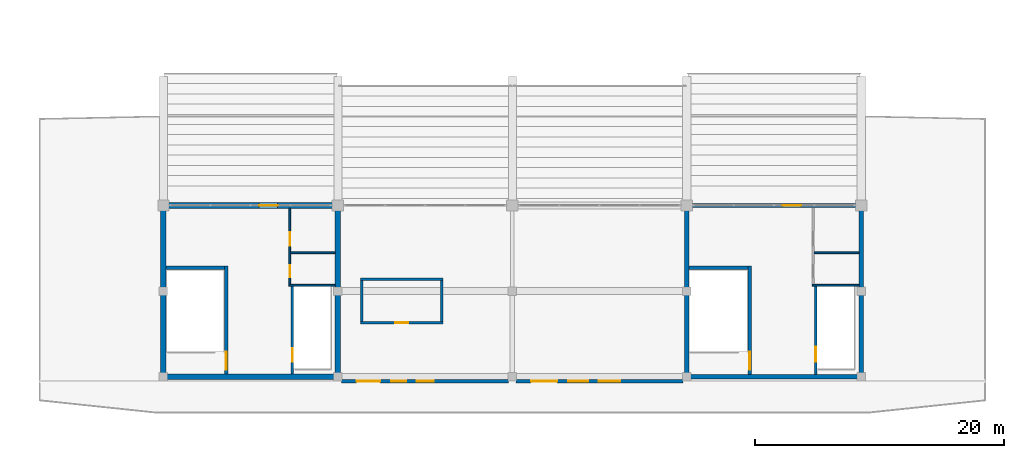
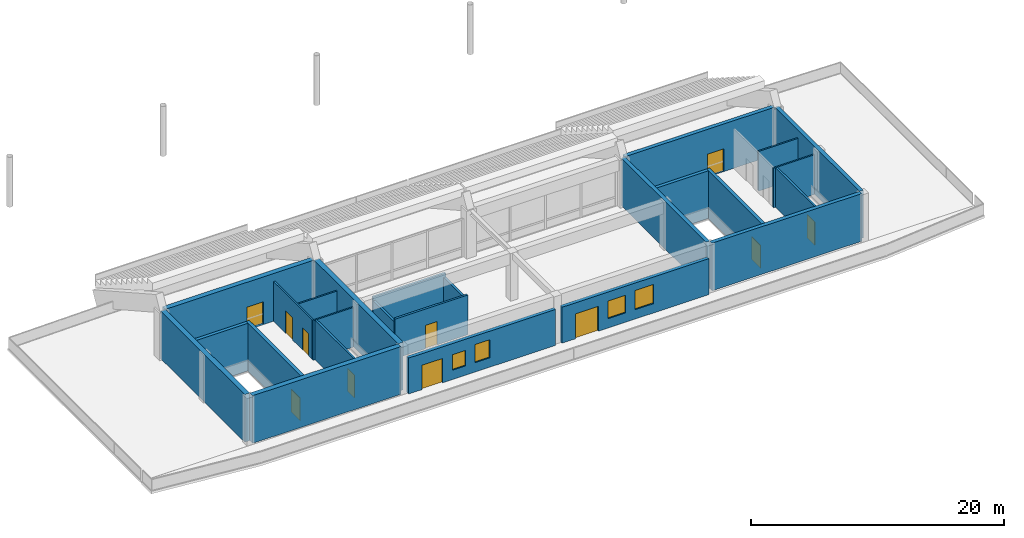
# One storey, part 69 of 94: 25 walls, 11 doors, 4 windows, 15 openings.
"""IFC4 building model written with IfcOpenShell, lengths in metres."""

from ifc_helpers import new_model, si_unit, direction, frame, frame_2d, origin, place, context, subcontext, project, spatial, rectangle, extrude, material, layer, layer_set, type_object, element, fill, save


model = new_model("IFC4")

# Units and contexts
model_context = context("Model", 3, precision=1e-05, world=origin(), true_north=direction((0.0, 1.0)))
body_context = subcontext(model_context, "Body", "Model", "MODEL_VIEW")
ifc_project = project(units=[si_unit("LENGTHUNIT", "METRE"), si_unit("AREAUNIT", "SQUARE_METRE"), si_unit("VOLUMEUNIT", "CUBIC_METRE"), si_unit("PLANEANGLEUNIT", "RADIAN"), si_unit("MASSUNIT", "GRAM", prefix="KILO")], contexts=[model_context])

# Site, building, storey
site_placement = place(None, origin())
site = spatial("IfcSite", under=ifc_project, at=site_placement, CompositionType="ELEMENT")
building_placement = place(site_placement, origin())
building = spatial("IfcBuilding", under=site, at=building_placement, Name="Linyun Crest Stadium", CompositionType="ELEMENT")
storey_placement = place(building_placement, frame((0.0, 0.0, 16.199951171875)))
storey = spatial("IfcBuildingStorey", under=building, at=storey_placement, Name="L04", CompositionType="ELEMENT", Elevation=16.199951171875)

# Walls
ifc_material_1 = material(Name="Concrete C50", Category="concrete")
ifc_layer_1 = layer(ifc_material_1, 0.35009765625)
ifc_layer_set_1 = layer_set([ifc_layer_1], Name="Concrete C50")
wall_type_1 = type_object("IfcWallType", Name="CW01", PredefinedType="SHEAR", material=ifc_layer_set_1)
for number, where, z_axis, x_axis, name in (
    (1, (14.0, -87.074951171875, 0.0), (0.0, 0.0, 1.0), (0.0, 1.0, 0.0), "Core shear wall CW01 CORE-S2 L04.1"),
    (2, (28.0, -87.074951171875, 0.0), (0.0, 0.0, 1.0), (0.0, 1.0, 0.0), "Core shear wall CW01 CORE-S2 L04.2"),
):
    element("IfcWall", number, at=place(storey_placement, frame(where, z_axis=z_axis, x_axis=x_axis)), inside=storey, type_object=wall_type_1, Name=name, PredefinedType="SHEAR", context=body_context, shape_type="SweptSolid", body=[
        extrude(rectangle(XDim=13.39990234375, YDim=0.35009765625, at=frame_2d((6.699951171875, 0.0))), origin(), (0.0, 0.0, 1.0), 4.594970703125),
    ])
wall_1_placement = place(storey_placement, frame((14.175048828125, -87.25, 0.0), z_axis=(0.0, 0.0, 1.0), x_axis=(1.0, 0.0, 0.0)))
element("IfcWall", 3, at=wall_1_placement, inside=storey, type_object=wall_type_1, Name="Core shear wall CW01 CORE-S2 L04.3", PredefinedType="SHEAR", context=body_context, shape_type="SweptSolid", body=[
    extrude(rectangle(XDim=13.64990234375, YDim=0.35009765625, at=frame_2d((6.824951171875, 0.0))), origin(), (0.0, 0.0, 1.0), 4.594970703125),
])

# Wall, opening, door
wall_2_placement = place(storey_placement, frame((14.175048828125, -73.5, 0.0), z_axis=(0.0, 0.0, 1.0), x_axis=(1.0, 0.0, 0.0)))
wall_2 = element("IfcWall", 4, at=wall_2_placement, inside=storey, type_object=wall_type_1, Name="Core shear wall CW01 CORE-S2 L04.4", PredefinedType="SHEAR", context=body_context, shape_type="SweptSolid", body=[
    extrude(rectangle(XDim=13.64990234375, YDim=0.35009765625, at=frame_2d((6.824951171875, 0.0))), origin(), (0.0, 0.0, 1.0), 4.594970703125),
])
opening_1_placement = place(wall_2_placement, frame((7.507080078125, 0.0, 0.0)))
opening_1 = element("IfcOpeningElement", 5, at=opening_1_placement, cuts=wall_2, Name="Opening D-L04-361", PredefinedType="OPENING", context=body_context, shape_type="SweptSolid", body=[
    extrude(rectangle(XDim=1.5, YDim=2.199951171875, at=frame_2d((0.75, 1.10009765625))), frame((0.0, 0.18505859375, 0.0), z_axis=(0.0, -1.0, 0.0), x_axis=(1.0, 0.0, 0.0)), (0.0, 0.0, 1.0), 0.3701171875),
])
ifc_material_2 = material(Name="Galvanized steel Class A fire door", Category="steel")
ifc_layer_2 = layer(ifc_material_2, 0.054931640625)
ifc_layer_set_2 = layer_set([ifc_layer_2], Name="Galvanized steel Class A fire door")
door_type_1 = type_object("IfcDoorType", Name="FD01", OperationType="NOTDEFINED", PredefinedType="DOOR", material=ifc_layer_set_2)
door_1_placement = place(opening_1_placement, origin())
door_1 = element("IfcDoor", 6, at=door_1_placement, inside=storey, type_object=door_type_1, Name="Door D-L04-361", OperationType="SINGLE_SWING_LEFT", OverallHeight=2.199951171875, OverallWidth=1.5, PredefinedType="DOOR", context=body_context, shape_type="SweptSolid", body=[
    extrude(rectangle(XDim=1.5, YDim=2.199951171875, at=frame_2d((0.75, 1.10009765625))), frame((0.0, 0.02490234375, 0.0), z_axis=(0.0, -1.0, 0.0), x_axis=(1.0, 0.0, 0.0)), (0.0, 0.0, 1.0), 0.050048828125),
])
fill(opening_1, door_1)

# Walls
ifc_material_3 = material(Name="Concrete C50", Category="concrete")
ifc_layer_3 = layer(ifc_material_3, 0.449951171875)
ifc_layer_set_3 = layer_set([ifc_layer_3], Name="Concrete C50")
wall_type_2 = type_object("IfcWallType", Name="CW03", PredefinedType="SHEAR", material=ifc_layer_set_3)
for number, where, z_axis, x_axis, name in (
    (7, (-28.0, -87.02490234375, 0.0), (0.0, 0.0, 1.0), (0.0, 1.0, 0.0), "Core shear wall CW03 CORE-S1 L04.1"),
    (8, (-14.0, -87.02490234375, 0.0), (0.0, 0.0, 1.0), (0.0, 1.0, 0.0), "Core shear wall CW03 CORE-S1 L04.2"),
):
    element("IfcWall", number, at=place(storey_placement, frame(where, z_axis=z_axis, x_axis=x_axis)), inside=storey, type_object=wall_type_2, Name=name, PredefinedType="SHEAR", context=body_context, shape_type="SweptSolid", body=[
        extrude(rectangle(XDim=13.2998046875, YDim=0.449951171875, at=frame_2d((6.64990234375, 0.0))), origin(), (0.0, 0.0, 1.0), 4.594970703125),
    ])
wall_3_placement = place(storey_placement, frame((-27.77490234375, -87.25, 0.0), z_axis=(0.0, 0.0, 1.0), x_axis=(1.0, 0.0, 0.0)))
element("IfcWall", 9, at=wall_3_placement, inside=storey, type_object=wall_type_2, Name="Core shear wall CW03 CORE-S1 L04.3", PredefinedType="SHEAR", context=body_context, shape_type="SweptSolid", body=[
    extrude(rectangle(XDim=13.5498046875, YDim=0.449951171875, at=frame_2d((6.77490234375, 0.0))), origin(), (0.0, 0.0, 1.0), 4.594970703125),
])

# Wall, opening, door
wall_4_placement = place(storey_placement, frame((-27.77490234375, -73.5, 0.0), z_axis=(0.0, 0.0, 1.0), x_axis=(1.0, 0.0, 0.0)))
wall_4 = element("IfcWall", 10, at=wall_4_placement, inside=storey, type_object=wall_type_2, Name="Core shear wall CW03 CORE-S1 L04.4", PredefinedType="SHEAR", context=body_context, shape_type="SweptSolid", body=[
    extrude(rectangle(XDim=13.5498046875, YDim=0.449951171875, at=frame_2d((6.77490234375, 0.0))), origin(), (0.0, 0.0, 1.0), 4.594970703125),
])
opening_2_placement = place(wall_4_placement, frame((7.451904296875, 0.0, 0.0)))
opening_2 = element("IfcOpeningElement", 11, at=opening_2_placement, cuts=wall_4, Name="Opening D-L04-336", PredefinedType="OPENING", context=body_context, shape_type="SweptSolid", body=[
    extrude(rectangle(XDim=1.5, YDim=2.199951171875, at=frame_2d((0.75, 1.10009765625))), frame((0.0, 0.23486328125, 0.0), z_axis=(0.0, -1.0, 0.0), x_axis=(1.0, 0.0, 0.0)), (0.0, 0.0, 1.0), 0.469970703125),
])
door_2_placement = place(opening_2_placement, origin())
door_2 = element("IfcDoor", 12, at=door_2_placement, inside=storey, type_object=door_type_1, Name="Door D-L04-336", OperationType="SINGLE_SWING_RIGHT", OverallHeight=2.199951171875, OverallWidth=1.5, PredefinedType="DOOR", context=body_context, shape_type="SweptSolid", body=[
    extrude(rectangle(XDim=1.5, YDim=2.199951171875, at=frame_2d((0.75, 1.10009765625))), frame((0.0, 0.02490234375, 0.0), z_axis=(0.0, -1.0, 0.0), x_axis=(1.0, 0.0, 0.0)), (0.0, 0.0, 1.0), 0.050048828125),
])
fill(opening_2, door_2)

# Wall, openings, door, windows
ifc_material_4 = material(Name="Concrete C40 with warm ochre ceramic faience", Category="concrete")
ifc_layer_4 = layer(ifc_material_4, 0.31005859375)
ifc_layer_set_4 = layer_set([ifc_layer_4], Name="Concrete C40 with warm ochre ceramic faience")
wall_type_3 = type_object("IfcWallType", Name="EW04", PredefinedType="SOLIDWALL", material=ifc_layer_set_4)
wall_5_placement = place(storey_placement, frame((-13.699951171875, -87.60009765625, 0.0), z_axis=(0.0, 0.0, 1.0), x_axis=(1.0, 0.0, 0.0)))
wall_5 = element("IfcWall", 13, at=wall_5_placement, inside=storey, type_object=wall_type_3, Name="Exterior wall EW04 L04 64", PredefinedType="SOLIDWALL", context=body_context, shape_type="SweptSolid", body=[
    extrude(rectangle(XDim=13.39990234375, YDim=0.31005859375, at=frame_2d((6.699951171875, 0.0))), origin(), (0.0, 0.0, 1.0), 3.469970703125),
])
opening_3_placement = place(wall_5_placement, frame((1.199951171875, 0.0, 0.0)))
opening_3 = element("IfcOpeningElement", 14, at=opening_3_placement, cuts=wall_5, Name="Opening BD-L04-03", PredefinedType="OPENING", context=body_context, shape_type="SweptSolid", body=[
    extrude(rectangle(XDim=1.89990234375, YDim=2.35009765625, at=frame_2d((0.949951171875, 1.175048828125))), frame((0.0, 0.1650390625, 0.0), z_axis=(0.0, -1.0, 0.0), x_axis=(1.0, 0.0, 0.0)), (0.0, 0.0, 1.0), 0.330078125),
])
opening_4_placement = place(wall_5_placement, frame((4.0, 0.0, 0.89990234375)))
opening_4 = element("IfcOpeningElement", 15, at=opening_4_placement, cuts=wall_5, Name="Opening WN07", PredefinedType="OPENING", context=body_context, shape_type="SweptSolid", body=[
    extrude(rectangle(XDim=1.199951171875, YDim=1.5, at=frame_2d((0.60009765625, 0.75))), frame((0.0, 0.1650390625, 0.0), z_axis=(0.0, -1.0, 0.0), x_axis=(1.0, 0.0, 0.0)), (0.0, 0.0, 1.0), 0.330078125),
])
opening_5_placement = place(wall_5_placement, frame((6.050048828125, 0.0, 0.89990234375)))
opening_5 = element("IfcOpeningElement", 16, at=opening_5_placement, cuts=wall_5, Name="Opening WN13", PredefinedType="OPENING", context=body_context, shape_type="SweptSolid", body=[
    extrude(rectangle(XDim=1.35009765625, YDim=1.75, at=frame_2d((0.675048828125, 0.875))), frame((0.0, 0.1650390625, 0.0), z_axis=(0.0, -1.0, 0.0), x_axis=(1.0, 0.0, 0.0)), (0.0, 0.0, 1.0), 0.330078125),
])
ifc_material_5 = material(Name="Thermally broken aluminium and low-E glass", Category="aluminium")
ifc_layer_5 = layer(ifc_material_5, 0.054931640625)
ifc_layer_set_5 = layer_set([ifc_layer_5], Name="Thermally broken aluminium and low-E glass")
door_type_2 = type_object("IfcDoorType", Name="BD05", OperationType="NOTDEFINED", PredefinedType="DOOR", material=ifc_layer_set_5)
door_3_placement = place(opening_3_placement, origin())
door_3 = element("IfcDoor", 17, at=door_3_placement, inside=storey, type_object=door_type_2, Name="Terrace door BD-L04-03", OperationType="SINGLE_SWING_LEFT", OverallHeight=2.35009765625, OverallWidth=1.89990234375, PredefinedType="DOOR", context=body_context, shape_type="SweptSolid", body=[
    extrude(rectangle(XDim=1.89990234375, YDim=2.35009765625, at=frame_2d((0.949951171875, 1.175048828125))), frame((0.0, 0.02490234375, 0.0), z_axis=(0.0, -1.0, 0.0), x_axis=(1.0, 0.0, 0.0)), (0.0, 0.0, 1.0), 0.050048828125),
])
fill(opening_3, door_3)
ifc_material_6 = material(Name="Aluminium operable ventilation window", Category="aluminium")
ifc_layer_6 = layer(ifc_material_6, 0.06005859375)
ifc_layer_set_6 = layer_set([ifc_layer_6], Name="Aluminium operable ventilation window")
window_type_1 = type_object("IfcWindowType", Name="WN07", PartitioningType="SINGLE_PANEL", PredefinedType="WINDOW", material=ifc_layer_set_6)
window_1_placement = place(opening_4_placement, origin())
window_1 = element("IfcWindow", 18, at=window_1_placement, inside=storey, type_object=window_type_1, Name="Window WN07 L04 37", OverallHeight=1.5, OverallWidth=1.199951171875, PartitioningType="SINGLE_PANEL", PredefinedType="WINDOW", context=body_context, shape_type="SweptSolid", body=[
    extrude(rectangle(XDim=1.199951171875, YDim=1.5, at=frame_2d((0.60009765625, 0.75))), frame((0.0, 0.030029296875, 0.0), z_axis=(0.0, -1.0, 0.0), x_axis=(1.0, 0.0, 0.0)), (0.0, 0.0, 1.0), 0.06005859375),
])
fill(opening_4, window_1)
ifc_material_7 = material(Name="Gallery side-light window")
ifc_layer_7 = layer(ifc_material_7, 0.06005859375)
ifc_layer_set_7 = layer_set([ifc_layer_7], Name="Gallery side-light window")
window_type_2 = type_object("IfcWindowType", Name="WN13", PartitioningType="SINGLE_PANEL", PredefinedType="WINDOW", material=ifc_layer_set_7)
window_2_placement = place(opening_5_placement, origin())
window_2 = element("IfcWindow", 19, at=window_2_placement, inside=storey, type_object=window_type_2, Name="Window WN13 L04 38", OverallHeight=1.75, OverallWidth=1.35009765625, PartitioningType="SINGLE_PANEL", PredefinedType="WINDOW", context=body_context, shape_type="SweptSolid", body=[
    extrude(rectangle(XDim=1.35009765625, YDim=1.75, at=frame_2d((0.675048828125, 0.875))), frame((0.0, 0.030029296875, 0.0), z_axis=(0.0, -1.0, 0.0), x_axis=(1.0, 0.0, 0.0)), (0.0, 0.0, 1.0), 0.06005859375),
])
fill(opening_5, window_2)

wall_6_placement = place(storey_placement, frame((0.300048828125, -87.60009765625, 0.0), z_axis=(0.0, 0.0, 1.0), x_axis=(1.0, 0.0, 0.0)))
wall_6 = element("IfcWall", 20, at=wall_6_placement, inside=storey, type_object=wall_type_3, Name="Exterior wall EW04 L04 65", PredefinedType="SOLIDWALL", context=body_context, shape_type="SweptSolid", body=[
    extrude(rectangle(XDim=13.39990234375, YDim=0.31005859375, at=frame_2d((6.699951171875, 0.0))), origin(), (0.0, 0.0, 1.0), 3.469970703125),
])
opening_6_placement = place(wall_6_placement, frame((1.199951171875, 0.0, 0.0)))
opening_6 = element("IfcOpeningElement", 21, at=opening_6_placement, cuts=wall_6, Name="Opening BD-L04-04", PredefinedType="OPENING", context=body_context, shape_type="SweptSolid", body=[
    extrude(rectangle(XDim=2.10009765625, YDim=2.39990234375, at=frame_2d((1.050048828125, 1.199951171875))), frame((0.0, 0.1650390625, 0.0), z_axis=(0.0, -1.0, 0.0), x_axis=(1.0, 0.0, 0.0)), (0.0, 0.0, 1.0), 0.330078125),
])
opening_7_placement = place(wall_6_placement, frame((4.199951171875, 0.0, 0.89990234375)))
opening_7 = element("IfcOpeningElement", 22, at=opening_7_placement, cuts=wall_6, Name="Opening WN09", PredefinedType="OPENING", context=body_context, shape_type="SweptSolid", body=[
    extrude(rectangle(XDim=1.60009765625, YDim=1.699951171875, at=frame_2d((0.800048828125, 0.85009765625))), frame((0.0, 0.1650390625, 0.0), z_axis=(0.0, -1.0, 0.0), x_axis=(1.0, 0.0, 0.0)), (0.0, 0.0, 1.0), 0.330078125),
])
opening_8_placement = place(wall_6_placement, frame((6.64990234375, 0.0, 0.89990234375)))
opening_8 = element("IfcOpeningElement", 23, at=opening_8_placement, cuts=wall_6, Name="Opening WN14", PredefinedType="OPENING", context=body_context, shape_type="SweptSolid", body=[
    extrude(rectangle(XDim=1.699951171875, YDim=1.85009765625, at=frame_2d((0.85009765625, 0.925048828125))), frame((0.0, 0.1650390625, 0.0), z_axis=(0.0, -1.0, 0.0), x_axis=(1.0, 0.0, 0.0)), (0.0, 0.0, 1.0), 0.330078125),
])
ifc_material_8 = material(Name="Thermally broken aluminium and low-E glass", Category="aluminium")
ifc_layer_8 = layer(ifc_material_8, 0.054931640625)
ifc_layer_set_8 = layer_set([ifc_layer_8], Name="Thermally broken aluminium and low-E glass")
door_type_3 = type_object("IfcDoorType", Name="BD06", OperationType="NOTDEFINED", PredefinedType="DOOR", material=ifc_layer_set_8)
door_4_placement = place(opening_6_placement, origin())
door_4 = element("IfcDoor", 24, at=door_4_placement, inside=storey, type_object=door_type_3, Name="Terrace door BD-L04-04", OperationType="SINGLE_SWING_RIGHT", OverallHeight=2.39990234375, OverallWidth=2.10009765625, PredefinedType="DOOR", context=body_context, shape_type="SweptSolid", body=[
    extrude(rectangle(XDim=2.10009765625, YDim=2.39990234375, at=frame_2d((1.050048828125, 1.199951171875))), frame((0.0, 0.02490234375, 0.0), z_axis=(0.0, -1.0, 0.0), x_axis=(1.0, 0.0, 0.0)), (0.0, 0.0, 1.0), 0.050048828125),
])
fill(opening_6, door_4)
ifc_material_9 = material(Name="Aluminium operable ventilation window", Category="aluminium")
ifc_layer_9 = layer(ifc_material_9, 0.06005859375)
ifc_layer_set_9 = layer_set([ifc_layer_9], Name="Aluminium operable ventilation window")
window_type_3 = type_object("IfcWindowType", Name="WN09", PartitioningType="SINGLE_PANEL", PredefinedType="WINDOW", material=ifc_layer_set_9)
window_3_placement = place(opening_7_placement, origin())
window_3 = element("IfcWindow", 25, at=window_3_placement, inside=storey, type_object=window_type_3, Name="Window WN09 L04 39", OverallHeight=1.699951171875, OverallWidth=1.60009765625, PartitioningType="SINGLE_PANEL", PredefinedType="WINDOW", context=body_context, shape_type="SweptSolid", body=[
    extrude(rectangle(XDim=1.60009765625, YDim=1.699951171875, at=frame_2d((0.800048828125, 0.85009765625))), frame((0.0, 0.030029296875, 0.0), z_axis=(0.0, -1.0, 0.0), x_axis=(1.0, 0.0, 0.0)), (0.0, 0.0, 1.0), 0.06005859375),
])
fill(opening_7, window_3)
ifc_material_10 = material(Name="Concourse arched sidelight")
ifc_layer_10 = layer(ifc_material_10, 0.06005859375)
ifc_layer_set_10 = layer_set([ifc_layer_10], Name="Concourse arched sidelight")
window_type_4 = type_object("IfcWindowType", Name="WN14", PartitioningType="SINGLE_PANEL", PredefinedType="WINDOW", material=ifc_layer_set_10)
window_4_placement = place(opening_8_placement, origin())
window_4 = element("IfcWindow", 26, at=window_4_placement, inside=storey, type_object=window_type_4, Name="Window WN14 L04 40", OverallHeight=1.85009765625, OverallWidth=1.699951171875, PartitioningType="SINGLE_PANEL", PredefinedType="WINDOW", context=body_context, shape_type="SweptSolid", body=[
    extrude(rectangle(XDim=1.699951171875, YDim=1.85009765625, at=frame_2d((0.85009765625, 0.925048828125))), frame((0.0, 0.030029296875, 0.0), z_axis=(0.0, -1.0, 0.0), x_axis=(1.0, 0.0, 0.0)), (0.0, 0.0, 1.0), 0.06005859375),
])
fill(opening_8, window_4)

# Wall, opening, door
ifc_material_11 = material(Name="Autoclaved aerated concrete block fire partition", Category="concrete")
ifc_layer_11 = layer(ifc_material_11, 0.179931640625)
ifc_layer_set_11 = layer_set([ifc_layer_11], Name="Autoclaved aerated concrete block fire partition")
wall_type_4 = type_object("IfcWallType", Name="PW12", PredefinedType="PARTITIONING", material=ifc_layer_set_11)
wall_7_placement = place(storey_placement, frame((-17.64990234375, -87.02490234375, 0.0), z_axis=(0.0, 0.0, 1.0), x_axis=(0.0, 1.0, 0.0)))
wall_7 = element("IfcWall", 27, at=wall_7_placement, inside=storey, type_object=wall_type_4, Name="Partition PW12 L04 119", PredefinedType="PARTITIONING", context=body_context, shape_type="SweptSolid", body=[
    extrude(rectangle(XDim=7.054931640625, YDim=0.179931640625, at=frame_2d((3.52734375, 0.0))), origin(), (0.0, 0.0, 1.0), 3.820068359375),
])
opening_9_placement = place(wall_7_placement, frame((0.97509765625, 0.0, 0.0)))
opening_9 = element("IfcOpeningElement", 28, at=opening_9_placement, cuts=wall_7, Name="Opening LD101", PredefinedType="OPENING", context=body_context, shape_type="SweptSolid", body=[
    extrude(rectangle(XDim=1.10009765625, YDim=2.199951171875, at=frame_2d((0.550048828125, 1.10009765625))), frame((0.0, 0.099853515625, 0.0), z_axis=(0.0, -1.0, 0.0), x_axis=(1.0, 0.0, 0.0)), (0.0, 0.0, 1.0), 0.199951171875),
])
ifc_material_12 = material(Name="Brushed stainless sliding lift door")
ifc_layer_12 = layer(ifc_material_12, 0.050048828125)
ifc_layer_set_12 = layer_set([ifc_layer_12], Name="Brushed stainless sliding lift door")
door_type_4 = type_object("IfcDoorType", Name="LD01", OperationType="NOTDEFINED", PredefinedType="DOOR", material=ifc_layer_set_12)
door_5_placement = place(opening_9_placement, origin())
door_5 = element("IfcDoor", 29, at=door_5_placement, inside=storey, type_object=door_type_4, Name="Lift landing door LD101", OperationType="DOUBLE_DOOR_SLIDING", OverallHeight=2.199951171875, OverallWidth=1.10009765625, PredefinedType="DOOR", context=body_context, shape_type="SweptSolid", body=[
    extrude(rectangle(XDim=1.10009765625, YDim=2.199951171875, at=frame_2d((0.550048828125, 1.10009765625))), frame((0.0, 0.02490234375, 0.0), z_axis=(0.0, -1.0, 0.0), x_axis=(1.0, 0.0, 0.0)), (0.0, 0.0, 1.0), 0.050048828125),
])
fill(opening_9, door_5)

wall_8_placement = place(storey_placement, frame((24.35009765625, -87.074951171875, 0.0), z_axis=(0.0, 0.0, 1.0), x_axis=(0.0, 1.0, 0.0)))
wall_8 = element("IfcWall", 30, at=wall_8_placement, inside=storey, type_object=wall_type_4, Name="Partition PW12 L04 129", PredefinedType="PARTITIONING", context=body_context, shape_type="SweptSolid", body=[
    extrude(rectangle(XDim=7.10498046875, YDim=0.179931640625, at=frame_2d((3.552490234375, 0.0))), origin(), (0.0, 0.0, 1.0), 3.820068359375),
])
opening_10_placement = place(wall_8_placement, frame((1.02490234375, 0.0, 0.0)))
opening_10 = element("IfcOpeningElement", 31, at=opening_10_placement, cuts=wall_8, Name="Opening LD106", PredefinedType="OPENING", context=body_context, shape_type="SweptSolid", body=[
    extrude(rectangle(XDim=1.199951171875, YDim=2.25, at=frame_2d((0.60009765625, 1.125))), frame((0.0, 0.099853515625, 0.0), z_axis=(0.0, -1.0, 0.0), x_axis=(1.0, 0.0, 0.0)), (0.0, 0.0, 1.0), 0.199951171875),
])
ifc_material_13 = material(Name="Brushed stainless sliding lift door")
ifc_layer_13 = layer(ifc_material_13, 0.050048828125)
ifc_layer_set_13 = layer_set([ifc_layer_13], Name="Brushed stainless sliding lift door")
door_type_5 = type_object("IfcDoorType", Name="LD02", OperationType="NOTDEFINED", PredefinedType="DOOR", material=ifc_layer_set_13)
door_6_placement = place(opening_10_placement, origin())
door_6 = element("IfcDoor", 32, at=door_6_placement, inside=storey, type_object=door_type_5, Name="Lift landing door LD106", OperationType="DOUBLE_DOOR_SLIDING", OverallHeight=2.25, OverallWidth=1.199951171875, PredefinedType="DOOR", context=body_context, shape_type="SweptSolid", body=[
    extrude(rectangle(XDim=1.199951171875, YDim=2.25, at=frame_2d((0.60009765625, 1.125))), frame((0.0, 0.02490234375, 0.0), z_axis=(0.0, -1.0, 0.0), x_axis=(1.0, 0.0, 0.0)), (0.0, 0.0, 1.0), 0.050048828125),
])
fill(opening_10, door_6)

# Wall, openings, doors
ifc_material_14 = material(Name="Moisture-resistant ceramic-tiled wet-room wall")
ifc_layer_14 = layer(ifc_material_14, 0.139892578125)
ifc_layer_set_14 = layer_set([ifc_layer_14], Name="Moisture-resistant ceramic-tiled wet-room wall")
wall_type_5 = type_object("IfcWallType", Name="PW15", PredefinedType="PARTITIONING", material=ifc_layer_set_14)
wall_9_placement = place(storey_placement, frame((-17.85009765625, -79.830078125, 0.0), z_axis=(0.0, 0.0, 1.0), x_axis=(0.0, 1.0, 0.0)))
wall_9 = element("IfcWall", 33, at=wall_9_placement, inside=storey, type_object=wall_type_5, Name="Partition PW15 L04 120", PredefinedType="PARTITIONING", context=body_context, shape_type="SweptSolid", body=[
    extrude(rectangle(XDim=6.10498046875, YDim=0.139892578125, at=frame_2d((3.052490234375, 0.0))), origin(), (0.0, 0.0, 1.0), 3.820068359375),
])
opening_11_placement = place(wall_9_placement, frame((0.580078125, 0.0, 0.0)))
opening_11 = element("IfcOpeningElement", 34, at=opening_11_placement, cuts=wall_9, Name="Opening D-L04-339", PredefinedType="OPENING", context=body_context, shape_type="SweptSolid", body=[
    extrude(rectangle(XDim=0.949951171875, YDim=2.14990234375, at=frame_2d((0.47509765625, 1.074951171875))), frame((0.0, 0.079833984375, 0.0), z_axis=(0.0, -1.0, 0.0), x_axis=(1.0, 0.0, 0.0)), (0.0, 0.0, 1.0), 0.159912109375),
])
opening_12_placement = place(wall_9_placement, frame((3.080078125, 0.0, 0.0)))
opening_12 = element("IfcOpeningElement", 35, at=opening_12_placement, cuts=wall_9, Name="Opening D-L04-340", PredefinedType="OPENING", context=body_context, shape_type="SweptSolid", body=[
    extrude(rectangle(XDim=1.10009765625, YDim=2.14990234375, at=frame_2d((0.550048828125, 1.074951171875))), frame((0.0, 0.079833984375, 0.0), z_axis=(0.0, -1.0, 0.0), x_axis=(1.0, 0.0, 0.0)), (0.0, 0.0, 1.0), 0.159912109375),
])
ifc_material_15 = material(Name="Moisture-resistant laminate leaf")
ifc_layer_15 = layer(ifc_material_15, 0.044921875)
ifc_layer_set_15 = layer_set([ifc_layer_15], Name="Moisture-resistant laminate leaf")
door_type_6 = type_object("IfcDoorType", Name="ID02", OperationType="NOTDEFINED", PredefinedType="DOOR", material=ifc_layer_set_15)
door_7_placement = place(opening_11_placement, origin())
door_7 = element("IfcDoor", 36, at=door_7_placement, inside=storey, type_object=door_type_6, Name="Door D-L04-339", OperationType="SINGLE_SWING_LEFT", OverallHeight=2.14990234375, OverallWidth=0.949951171875, PredefinedType="DOOR", context=body_context, shape_type="SweptSolid", body=[
    extrude(rectangle(XDim=0.949951171875, YDim=2.14990234375, at=frame_2d((0.47509765625, 1.074951171875))), frame((0.0, 0.02490234375, 0.0), z_axis=(0.0, -1.0, 0.0), x_axis=(1.0, 0.0, 0.0)), (0.0, 0.0, 1.0), 0.050048828125),
])
fill(opening_11, door_7)
ifc_material_16 = material(Name="Moisture-resistant laminate leaf")
ifc_layer_16 = layer(ifc_material_16, 0.044921875)
ifc_layer_set_16 = layer_set([ifc_layer_16], Name="Moisture-resistant laminate leaf")
door_type_7 = type_object("IfcDoorType", Name="ID03", OperationType="NOTDEFINED", PredefinedType="DOOR", material=ifc_layer_set_16)
door_8_placement = place(opening_12_placement, origin())
door_8 = element("IfcDoor", 37, at=door_8_placement, inside=storey, type_object=door_type_7, Name="Door D-L04-340", OperationType="SINGLE_SWING_RIGHT", OverallHeight=2.14990234375, OverallWidth=1.10009765625, PredefinedType="DOOR", context=body_context, shape_type="SweptSolid", body=[
    extrude(rectangle(XDim=1.10009765625, YDim=2.14990234375, at=frame_2d((0.550048828125, 1.074951171875))), frame((0.0, 0.02490234375, 0.0), z_axis=(0.0, -1.0, 0.0), x_axis=(1.0, 0.0, 0.0)), (0.0, 0.0, 1.0), 0.050048828125),
])
fill(opening_12, door_8)

# Walls
wall_10_placement = place(storey_placement, frame((-17.919921875, -79.89990234375, 0.0), z_axis=(0.0, 0.0, 1.0), x_axis=(1.0, 0.0, 0.0)))
element("IfcWall", 38, at=wall_10_placement, inside=storey, type_object=wall_type_5, Name="Enclosure partition PW15 L04 111", PredefinedType="PARTITIONING", context=body_context, shape_type="SweptSolid", body=[
    extrude(rectangle(XDim=3.69482421875, YDim=0.139892578125, at=frame_2d((1.847412109375, 0.0))), origin(), (0.0, 0.0, 1.0), 3.820068359375),
])
wall_11_placement = place(storey_placement, frame((-17.780029296875, -77.300048828125, 0.0), z_axis=(0.0, 0.0, 1.0), x_axis=(1.0, 0.0, 0.0)))
element("IfcWall", 39, at=wall_11_placement, inside=storey, type_object=wall_type_5, Name="Enclosure partition PW15 L04 112", PredefinedType="PARTITIONING", context=body_context, shape_type="SweptSolid", body=[
    extrude(rectangle(XDim=3.554931640625, YDim=0.139892578125, at=frame_2d((1.77734375, 0.0))), origin(), (0.0, 0.0, 1.0), 3.820068359375),
])
wall_12_placement = place(storey_placement, frame((24.080078125, -79.89990234375, 0.0), z_axis=(0.0, 0.0, 1.0), x_axis=(1.0, 0.0, 0.0)))
element("IfcWall", 40, at=wall_12_placement, inside=storey, type_object=wall_type_5, Name="Enclosure partition PW15 L04 121", PredefinedType="PARTITIONING", context=body_context, shape_type="SweptSolid", body=[
    extrude(rectangle(XDim=3.744873046875, YDim=0.139892578125, at=frame_2d((1.87255859375, 0.0))), origin(), (0.0, 0.0, 1.0), 3.820068359375),
])
wall_13_placement = place(storey_placement, frame((24.219970703125, -77.300048828125, 0.0), z_axis=(0.0, 0.0, 1.0), x_axis=(1.0, 0.0, 0.0)))
element("IfcWall", 41, at=wall_13_placement, inside=storey, type_object=wall_type_5, Name="Enclosure partition PW15 L04 122", PredefinedType="PARTITIONING", context=body_context, shape_type="SweptSolid", body=[
    extrude(rectangle(XDim=3.60498046875, YDim=0.139892578125, at=frame_2d((1.802490234375, 0.0))), origin(), (0.0, 0.0, 1.0), 3.820068359375),
])

# Wall, opening, door
ifc_material_17 = material(Name="Ticketing hall security partition")
ifc_layer_17 = layer(ifc_material_17, 0.18994140625)
ifc_layer_set_17 = layer_set([ifc_layer_17], Name="Ticketing hall security partition")
wall_type_6 = type_object("IfcWallType", Name="PW25", PredefinedType="PARTITIONING", material=ifc_layer_set_17)
wall_14_placement = place(storey_placement, frame((-5.55810546875, -82.909912109375, 0.0), z_axis=(0.0, 0.0, 1.0), x_axis=(-1.0, 0.0, 0.0)))
wall_14 = element("IfcWall", 42, at=wall_14_placement, inside=storey, type_object=wall_type_6, Name="Partition PW25 L04 223", PredefinedType="PARTITIONING", context=body_context, shape_type="SweptSolid", body=[
    extrude(rectangle(XDim=6.6298828125, YDim=0.18994140625, at=frame_2d((3.31494140625, 0.0))), origin(), (0.0, 0.0, 1.0), 3.820068359375),
])
opening_13_placement = place(wall_14_placement, frame((2.7900390625, 0.0, 0.0)))
opening_13 = element("IfcOpeningElement", 43, at=opening_13_placement, cuts=wall_14, Name="Opening D-L04-486", PredefinedType="OPENING", context=body_context, shape_type="SweptSolid", body=[
    extrude(rectangle(XDim=1.050048828125, YDim=2.25, at=frame_2d((0.52490234375, 1.125))), frame((0.0, 0.10498046875, 0.0), z_axis=(0.0, -1.0, 0.0), x_axis=(1.0, 0.0, 0.0)), (0.0, 0.0, 1.0), 0.2099609375),
])
ifc_material_18 = material(Name="Walnut and brass Art Nouveau door")
ifc_layer_18 = layer(ifc_material_18, 0.050048828125)
ifc_layer_set_18 = layer_set([ifc_layer_18], Name="Walnut and brass Art Nouveau door")
door_type_8 = type_object("IfcDoorType", Name="ID05", OperationType="NOTDEFINED", PredefinedType="DOOR", material=ifc_layer_set_18)
door_9_placement = place(opening_13_placement, origin())
door_9 = element("IfcDoor", 44, at=door_9_placement, inside=storey, type_object=door_type_8, Name="Door D-L04-486", OperationType="SINGLE_SWING_RIGHT", OverallHeight=2.25, OverallWidth=1.050048828125, PredefinedType="DOOR", context=body_context, shape_type="SweptSolid", body=[
    extrude(rectangle(XDim=1.050048828125, YDim=2.25, at=frame_2d((0.52490234375, 1.125))), frame((0.0, 0.02490234375, 0.0), z_axis=(0.0, -1.0, 0.0), x_axis=(1.0, 0.0, 0.0)), (0.0, 0.0, 1.0), 0.050048828125),
])
fill(opening_13, door_9)

# Walls
wall_15_placement = place(storey_placement, frame((-12.18798828125, -79.429931640625, 0.0), z_axis=(0.0, 0.0, 1.0), x_axis=(1.0, 0.0, 0.0)))
element("IfcWall", 45, at=wall_15_placement, inside=storey, type_object=wall_type_6, Name="Enclosure partition PW25 L04 385", PredefinedType="PARTITIONING", context=body_context, shape_type="SweptSolid", body=[
    extrude(rectangle(XDim=6.6298828125, YDim=0.18994140625, at=frame_2d((3.31494140625, 0.0))), origin(), (0.0, 0.0, 1.0), 3.820068359375),
])
for number, where, z_axis, x_axis, name in (
    (46, (-12.093017578125, -82.81494140625, 0.0), (0.0, 0.0, 1.0), (0.0, 1.0, 0.0), "Enclosure partition PW25 L04 386"),
    (47, (-5.653076171875, -82.81494140625, 0.0), (0.0, 0.0, 1.0), (0.0, 1.0, 0.0), "Enclosure partition PW25 L04 387"),
):
    element("IfcWall", number, at=place(storey_placement, frame(where, z_axis=z_axis, x_axis=x_axis)), inside=storey, type_object=wall_type_6, Name=name, PredefinedType="PARTITIONING", context=body_context, shape_type="SweptSolid", body=[
        extrude(rectangle(XDim=3.2900390625, YDim=0.18994140625, at=frame_2d((1.64501953125, 0.0))), origin(), (0.0, 0.0, 1.0), 3.469970703125),
    ])

# Wall, opening, door
ifc_material_19 = material(Name="Concrete C50", Category="concrete")
ifc_layer_19 = layer(ifc_material_19, 0.300048828125)
ifc_layer_set_19 = layer_set([ifc_layer_19], Name="Concrete C50")
wall_type_7 = type_object("IfcWallType", Name="SW01", PredefinedType="SHEAR", material=ifc_layer_set_19)
wall_16_placement = place(storey_placement, frame((-22.949951171875, -87.02490234375, 0.0), z_axis=(0.0, 0.0, 1.0), x_axis=(0.0, 1.0, 0.0)))
wall_16 = element("IfcWall", 48, at=wall_16_placement, inside=storey, type_object=wall_type_7, Name="Core stair east bearing wall SW01 9 L04", PredefinedType="SHEAR", context=body_context, shape_type="SweptSolid", body=[
    extrude(rectangle(XDim=8.6748046875, YDim=0.300048828125, at=frame_2d((4.33740234375, 0.0))), origin(), (0.0, 0.0, 1.0), 4.594970703125),
])
opening_14_placement = place(wall_16_placement, frame((0.344970703125, 0.0, 0.0)))
opening_14 = element("IfcOpeningElement", 49, at=opening_14_placement, cuts=wall_16, Name="Opening D-L04-337", PredefinedType="OPENING", context=body_context, shape_type="SweptSolid", body=[
    extrude(rectangle(XDim=1.449951171875, YDim=2.199951171875, at=frame_2d((0.72509765625, 1.10009765625))), frame((0.0, 0.159912109375, 0.0), z_axis=(0.0, -1.0, 0.0), x_axis=(1.0, 0.0, 0.0)), (0.0, 0.0, 1.0), 0.320068359375),
])
ifc_material_20 = material(Name="Galvanized steel Class A fire door", Category="steel")
ifc_layer_20 = layer(ifc_material_20, 0.054931640625)
ifc_layer_set_20 = layer_set([ifc_layer_20], Name="Galvanized steel Class A fire door")
door_type_9 = type_object("IfcDoorType", Name="FD02", OperationType="NOTDEFINED", PredefinedType="DOOR", material=ifc_layer_set_20)
door_10_placement = place(opening_14_placement, origin())
door_10 = element("IfcDoor", 50, at=door_10_placement, inside=storey, type_object=door_type_9, Name="Door D-L04-337", OperationType="SINGLE_SWING_LEFT", OverallHeight=2.199951171875, OverallWidth=1.449951171875, PredefinedType="DOOR", context=body_context, shape_type="SweptSolid", body=[
    extrude(rectangle(XDim=1.449951171875, YDim=2.199951171875, at=frame_2d((0.72509765625, 1.10009765625))), frame((0.0, 0.02490234375, 0.0), z_axis=(0.0, -1.0, 0.0), x_axis=(1.0, 0.0, 0.0)), (0.0, 0.0, 1.0), 0.050048828125),
])
fill(opening_14, door_10)

wall_17_placement = place(storey_placement, frame((19.050048828125, -87.074951171875, 0.0), z_axis=(0.0, 0.0, 1.0), x_axis=(0.0, 1.0, 0.0)))
wall_17 = element("IfcWall", 51, at=wall_17_placement, inside=storey, type_object=wall_type_7, Name="Core stair east bearing wall SW01 10 L04", PredefinedType="SHEAR", context=body_context, shape_type="SweptSolid", body=[
    extrude(rectangle(XDim=8.724853515625, YDim=0.300048828125, at=frame_2d((4.3623046875, 0.0))), origin(), (0.0, 0.0, 1.0), 4.594970703125),
])
opening_15_placement = place(wall_17_placement, frame((0.39501953125, 0.0, 0.0)))
opening_15 = element("IfcOpeningElement", 52, at=opening_15_placement, cuts=wall_17, Name="Opening D-L04-362", PredefinedType="OPENING", context=body_context, shape_type="SweptSolid", body=[
    extrude(rectangle(XDim=1.449951171875, YDim=2.199951171875, at=frame_2d((0.72509765625, 1.10009765625))), frame((0.0, 0.159912109375, 0.0), z_axis=(0.0, -1.0, 0.0), x_axis=(1.0, 0.0, 0.0)), (0.0, 0.0, 1.0), 0.320068359375),
])
door_11_placement = place(opening_15_placement, origin())
door_11 = element("IfcDoor", 53, at=door_11_placement, inside=storey, type_object=door_type_9, Name="Door D-L04-362", OperationType="SINGLE_SWING_RIGHT", OverallHeight=2.199951171875, OverallWidth=1.449951171875, PredefinedType="DOOR", context=body_context, shape_type="SweptSolid", body=[
    extrude(rectangle(XDim=1.449951171875, YDim=2.199951171875, at=frame_2d((0.72509765625, 1.10009765625))), frame((0.0, 0.02490234375, 0.0), z_axis=(0.0, -1.0, 0.0), x_axis=(1.0, 0.0, 0.0)), (0.0, 0.0, 1.0), 0.050048828125),
])
fill(opening_15, door_11)

# Walls
wall_18_placement = place(storey_placement, frame((-27.77490234375, -78.5, 0.0), z_axis=(0.0, 0.0, 1.0), x_axis=(1.0, 0.0, 0.0)))
element("IfcWall", 54, at=wall_18_placement, inside=storey, type_object=wall_type_7, Name="Core stair bearing wall SW01 9 L04", PredefinedType="SHEAR", context=body_context, shape_type="SweptSolid", body=[
    extrude(rectangle(XDim=4.6748046875, YDim=0.300048828125, at=frame_2d((2.33740234375, 0.0))), origin(), (0.0, 0.0, 1.0), 4.594970703125),
])
wall_19_placement = place(storey_placement, frame((14.175048828125, -78.5, 0.0), z_axis=(0.0, 0.0, 1.0), x_axis=(1.0, 0.0, 0.0)))
element("IfcWall", 55, at=wall_19_placement, inside=storey, type_object=wall_type_7, Name="Core stair bearing wall SW01 10 L04", PredefinedType="SHEAR", context=body_context, shape_type="SweptSolid", body=[
    extrude(rectangle(XDim=4.724853515625, YDim=0.300048828125, at=frame_2d((2.3623046875, 0.0))), origin(), (0.0, 0.0, 1.0), 4.594970703125),
])

save(model, "model.ifc")
